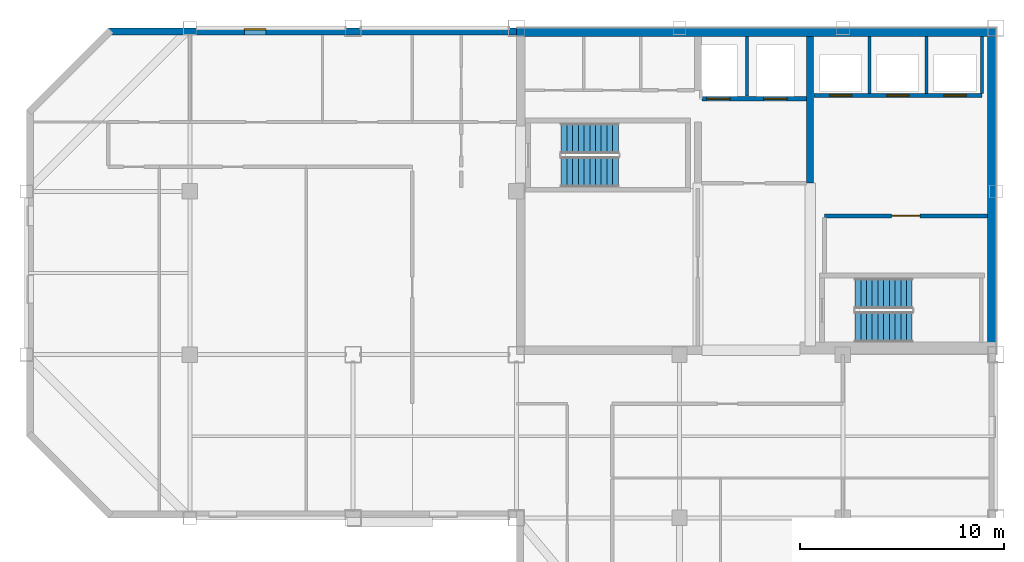
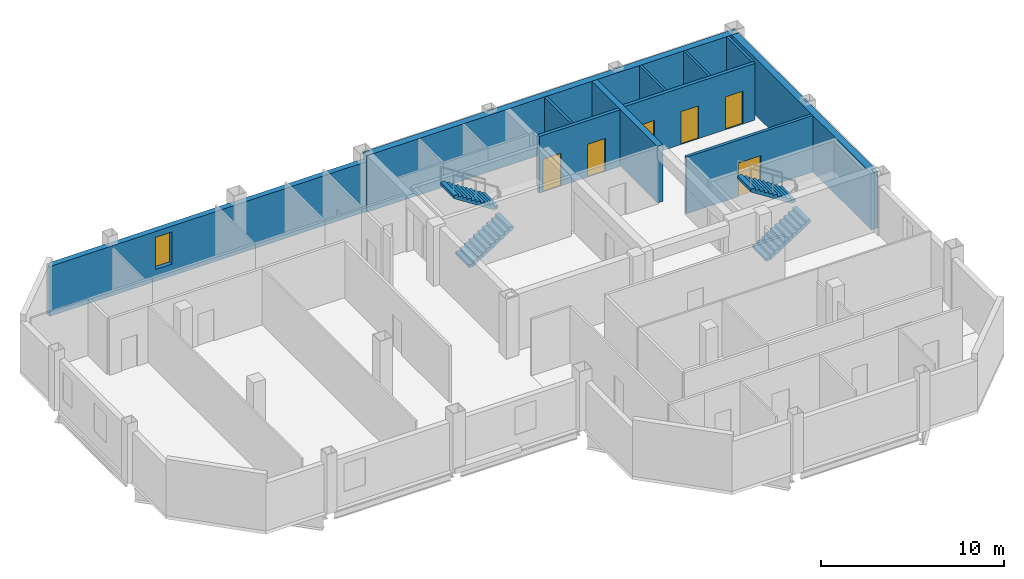
# One storey, part 4 of 7: 11 walls, 6 doors, 4 stair flights, 1 window, 7 openings, 2 elements without a shape of their own.
"""IFC4 building model written with IfcOpenShell, lengths in metres."""

from ifc_helpers import new_model, si_unit, direction, frame, frame_2d, origin, place, context, subcontext, project, spatial, polyline, rectangle, outline, extrude, material, layer, layer_set, type_object, element, fill, aggregate, save


model = new_model("IFC4")

# Units and contexts
model_context = context("Model", 3, precision=1e-05, world=origin(), true_north=direction((0.0, 1.0)))
body_context = subcontext(model_context, "Body", "Model", "MODEL_VIEW")
ifc_project = project(units=[si_unit("LENGTHUNIT", "METRE"), si_unit("AREAUNIT", "SQUARE_METRE"), si_unit("VOLUMEUNIT", "CUBIC_METRE"), si_unit("PLANEANGLEUNIT", "RADIAN"), si_unit("MASSUNIT", "GRAM", prefix="KILO")], contexts=[model_context])

# Site, building, storey
site_placement = place(None, origin())
site = spatial("IfcSite", under=ifc_project, at=site_placement, CompositionType="ELEMENT")
building_placement = place(site_placement, origin())
building = spatial("IfcBuilding", under=site, at=building_placement, Name="Qianrong Seaharbour Tower", CompositionType="ELEMENT")
storey_placement = place(building_placement, frame((0.0, 0.0, 351.199951171875)))
storey = spatial("IfcBuildingStorey", under=building, at=storey_placement, Name="L85", CompositionType="ELEMENT", Elevation=351.199951171875)

# Walls
ifc_material_1 = material(Name="Concrete C50/60", Category="concrete")
ifc_layer_1 = layer(ifc_material_1, 0.419921875)
ifc_layer_set_1 = layer_set([ifc_layer_1], Name="Concrete C50/60")
wall_type_1 = type_object("IfcWallType", Name="WALL-CORE-420", PredefinedType="SHEAR", material=ifc_layer_set_1)
wall_1_placement = place(storey_placement, frame((40.5, 51.7900390625, 0.0), z_axis=(0.0, 0.0, 1.0), x_axis=(1.0, 0.0, 0.0)))
element("IfcWall", 1, at=wall_1_placement, inside=storey, type_object=wall_type_1, Name="L85 North Core Shear Wall", PredefinedType="SHEAR", context=body_context, shape_type="SweptSolid", body=[
    extrude(rectangle(XDim=23.5, YDim=0.419921875, at=frame_2d((11.75, 0.0))), origin(), (0.0, 0.0, 1.0), 3.78515625),
])
wall_2_placement = place(storey_placement, frame((63.7900390625, 36.320068359375, 0.0), z_axis=(0.0, 0.0, 1.0), x_axis=(0.0, 1.0, 0.0)))
element("IfcWall", 2, at=wall_2_placement, inside=storey, type_object=wall_type_1, Name="L85 East Core Shear Wall", PredefinedType="SHEAR", context=body_context, shape_type="SweptSolid", body=[
    extrude(rectangle(XDim=15.260009765625, YDim=0.419921875, at=frame_2d((7.6298828125, 0.0))), origin(), (0.0, 0.0, 1.0), 3.78515625),
])
ifc_layer_2 = layer(ifc_material_1, 0.35009765625)
ifc_layer_set_2 = layer_set([ifc_layer_2], Name="Concrete C50/60")
wall_type_2 = type_object("IfcWallType", Name="WALL-CORE-INT-350", PredefinedType="SHEAR", material=ifc_layer_set_2)
wall_3_placement = place(storey_placement, frame((54.89990234375, 44.39990234375, 0.0), z_axis=(0.0, 0.0, 1.0), x_axis=(0.0, 1.0, 0.0)))
element("IfcWall", 3, at=wall_3_placement, inside=storey, type_object=wall_type_2, Name="L85 Internal Core Shear Wall IW2N", PredefinedType="SHEAR", context=body_context, shape_type="SweptSolid", body=[
    extrude(rectangle(XDim=7.18017578125, YDim=0.35009765625, at=frame_2d((3.590087890625, 0.0))), origin(), (0.0, 0.0, 1.0), 3.78515625),
])

# Wall, opening, window
ifc_material_2 = material(Name="Unitised buff brick on Precast concrete C45/55", Category="masonry")
ifc_layer_3 = layer(ifc_material_2, 0.340087890625)
ifc_layer_set_3 = layer_set([ifc_layer_3], Name="Unitised buff brick on Precast concrete C45/55")
wall_type_3 = type_object("IfcWallType", Name="WALL-EXT-BRICK-BUFF-340", PredefinedType="SOLIDWALL", material=ifc_layer_set_3)
wall_4_placement = place(storey_placement, frame((20.5, 51.830078125, 0.0), z_axis=(0.0, 0.0, 1.0), x_axis=(1.0, 0.0, 0.0)))
wall_4 = element("IfcWall", 4, at=wall_4_placement, inside=storey, type_object=wall_type_3, Name="L85 Exterior Masonry Facade Wall NORTH_WING", PredefinedType="SOLIDWALL", context=body_context, shape_type="SweptSolid", body=[
    extrude(rectangle(XDim=20.02001953125, YDim=0.340087890625, at=frame_2d((10.010009765625, 0.0))), origin(), (0.0, 0.0, 1.0), 3.3349609375),
])
opening_1_placement = place(wall_4_placement, frame((6.675048828125, 0.0, 0.800048828125)))
opening_1 = element("IfcOpeningElement", 5, at=opening_1_placement, cuts=wall_4, Name="Opening WN-14", PredefinedType="OPENING", context=body_context, shape_type="SweptSolid", body=[
    extrude(rectangle(XDim=1.050048828125, YDim=2.14990234375, at=frame_2d((0.52490234375, 1.074951171875))), frame((0.0, 0.18017578125, 0.0), z_axis=(0.0, -1.0, 0.0), x_axis=(1.0, 0.0, 0.0)), (0.0, 0.0, 1.0), 0.360107421875),
])
ifc_material_3 = material(Name="Insulated low-e double glazing in thermally broken aluminium 6063-T6 frame", Category="aluminium")
window_type = type_object("IfcWindowType", Name="WIN-NARROW-1050x2150", PartitioningType="SINGLE_PANEL", PredefinedType="WINDOW", material=ifc_material_3)
window_placement = place(opening_1_placement, origin())
window = element("IfcWindow", 6, at=window_placement, inside=storey, type_object=window_type, Name="L85 Deep-Set Punched Window 05.02", OverallHeight=2.14990234375, OverallWidth=1.050048828125, PartitioningType="SINGLE_PANEL", PredefinedType="WINDOW", context=body_context, shape_type="SweptSolid", body=[
    extrude(rectangle(XDim=1.050048828125, YDim=2.14990234375, at=frame_2d((0.52490234375, 1.074951171875))), frame((0.0, 0.150146484375, 0.0), z_axis=(0.0, -1.0, 0.0), x_axis=(1.0, 0.0, 0.0)), (0.0, 0.0, 1.0), 0.06005859375),
])
fill(opening_1, window)

# Wall, opening, door
ifc_material_4 = material(Name="Double fire-rated gypsum board acoustic partition")
ifc_layer_4 = layer(ifc_material_4, 0.18994140625)
ifc_layer_set_4 = layer_set([ifc_layer_4], Name="Double fire-rated gypsum board acoustic partition")
wall_type_4 = type_object("IfcWallType", Name="WALL-FIRE-PART-190", PredefinedType="PARTITIONING", material=ifc_layer_set_4)
wall_5_placement = place(storey_placement, frame((63.580078125, 42.800048828125, 0.0), z_axis=(0.0, 0.0, 1.0), x_axis=(-1.0, 0.0, 0.0)))
wall_5 = element("IfcWall", 7, at=wall_5_placement, inside=storey, type_object=wall_type_4, Name="L85 Interior Partition Wall 013", PredefinedType="PARTITIONING", context=body_context, shape_type="SweptSolid", body=[
    extrude(rectangle(XDim=7.97998046875, YDim=0.18994140625, at=frame_2d((3.989990234375, 0.0))), origin(), (0.0, 0.0, 1.0), 3.78515625),
])
opening_2_placement = place(wall_5_placement, frame((3.2900390625, 0.0, 0.0)))
opening_2 = element("IfcOpeningElement", 8, at=opening_2_placement, cuts=wall_5, Name="Opening DP-01", PredefinedType="OPENING", context=body_context, shape_type="SweptSolid", body=[
    extrude(rectangle(XDim=1.39990234375, YDim=2.25, at=frame_2d((0.699951171875, 1.125))), frame((0.0, 0.10498046875, 0.0), z_axis=(0.0, -1.0, 0.0), x_axis=(1.0, 0.0, 0.0)), (0.0, 0.0, 1.0), 0.2099609375),
])
ifc_material_5 = material(Name="Acoustic timber and galvanized steel fire door assembly", Category="steel")
door_type_1 = type_object("IfcDoorType", Name="DOOR-PLANT-PAIR-1400x2250", OperationType="DOUBLE_DOOR_SINGLE_SWING", PredefinedType="DOOR", material=ifc_material_5)
door_1_placement = place(opening_2_placement, origin())
door_1 = element("IfcDoor", 9, at=door_1_placement, inside=storey, type_object=door_type_1, Name="L85 Core Telecom Hub Room Door", OperationType="DOUBLE_DOOR_SINGLE_SWING", OverallHeight=2.25, OverallWidth=1.39990234375, PredefinedType="DOOR", context=body_context, shape_type="SweptSolid", body=[
    extrude(rectangle(XDim=1.39990234375, YDim=2.25, at=frame_2d((0.699951171875, 1.125))), frame((0.0, 0.02490234375, 0.0), z_axis=(0.0, -1.0, 0.0), x_axis=(1.0, 0.0, 0.0)), (0.0, 0.0, 1.0), 0.050048828125),
])
fill(opening_2, door_1)

# Walls
ifc_material_6 = material(Name="Fire-rated gypsum board on steel studs", Category="steel")
ifc_layer_5 = layer(ifc_material_6, 0.14990234375)
ifc_layer_set_5 = layer_set([ifc_layer_5], Name="Fire-rated gypsum board on steel studs")
wall_type_5 = type_object("IfcWallType", Name="WALL-SHAFT-DIV-150", PredefinedType="PARTITIONING", material=ifc_layer_set_5)
wall_6_placement = place(storey_placement, frame((51.800048828125, 48.669921875, 0.0), z_axis=(0.0, 0.0, 1.0), x_axis=(0.0, 1.0, 0.0)))
element("IfcWall", 10, at=wall_6_placement, inside=storey, type_object=wall_type_5, Name="L85 Firefighting Lift Shaft Divider Wall", PredefinedType="PARTITIONING", context=body_context, shape_type="SweptSolid", body=[
    extrude(rectangle(XDim=2.91015625, YDim=0.14990234375, at=frame_2d((1.455078125, 0.0))), origin(), (0.0, 0.0, 1.0), 3.78515625),
])
for number, where, z_axis, x_axis, name in (
    (11, (57.800048828125, 48.81005859375, 0.0), (0.0, 0.0, 1.0), (0.0, 1.0, 0.0), "L85 P4 Lift Hoistway Divider 2"),
    (12, (60.60009765625, 48.81005859375, 0.0), (0.0, 0.0, 1.0), (0.0, 1.0, 0.0), "L85 P4 Lift Hoistway Divider 3"),
    (13, (63.320068359375, 48.81005859375, 0.0), (0.0, 0.0, 1.0), (0.0, 1.0, 0.0), "L85 P4 Lift Hoistway Divider 4"),
):
    element("IfcWall", number, at=place(storey_placement, frame(where, z_axis=z_axis, x_axis=x_axis)), inside=storey, type_object=wall_type_5, Name=name, PredefinedType="PARTITIONING", context=body_context, shape_type="SweptSolid", body=[
        extrude(rectangle(XDim=2.77001953125, YDim=0.14990234375, at=frame_2d((1.385009765625, 0.0))), origin(), (0.0, 0.0, 1.0), 3.78515625),
    ])

# Wall, openings, doors
ifc_layer_6 = layer(ifc_material_6, 0.219970703125)
ifc_layer_set_6 = layer_set([ifc_layer_6], Name="Fire-rated gypsum board on steel studs")
wall_type_6 = type_object("IfcWallType", Name="WALL-SHAFT-GYP220", PredefinedType="PARTITIONING", material=ifc_layer_set_6)
wall_7_placement = place(storey_placement, frame((54.7099609375, 48.550048828125, 0.0), z_axis=(0.0, 0.0, 1.0), x_axis=(-1.0, 0.0, 0.0)))
wall_7 = element("IfcWall", 14, at=wall_7_placement, inside=storey, type_object=wall_type_6, Name="L85 Firefighting Lift Shaft Front Wall", PredefinedType="PARTITIONING", context=body_context, shape_type="SweptSolid", body=[
    extrude(rectangle(XDim=5.119873046875, YDim=0.219970703125, at=frame_2d((2.56005859375, 0.0))), origin(), (0.0, 0.0, 1.0), 3.78515625),
])
opening_3_placement = place(wall_7_placement, frame((3.735107421875, 0.0, 0.0)))
opening_3 = element("IfcOpeningElement", 15, at=opening_3_placement, cuts=wall_7, Name="Opening LD-01", PredefinedType="OPENING", context=body_context, shape_type="SweptSolid", body=[
    extrude(rectangle(XDim=1.14990234375, YDim=2.199951171875, at=frame_2d((0.574951171875, 1.10009765625))), frame((0.0, 0.1201171875, 0.0), z_axis=(0.0, -1.0, 0.0), x_axis=(1.0, 0.0, 0.0)), (0.0, 0.0, 1.0), 0.239990234375),
])
opening_4_placement = place(wall_7_placement, frame((0.93505859375, 0.0, 0.0)))
opening_4 = element("IfcOpeningElement", 16, at=opening_4_placement, cuts=wall_7, Name="Opening LD-01", PredefinedType="OPENING", context=body_context, shape_type="SweptSolid", body=[
    extrude(rectangle(XDim=1.14990234375, YDim=2.199951171875, at=frame_2d((0.574951171875, 1.10009765625))), frame((0.0, 0.1201171875, 0.0), z_axis=(0.0, -1.0, 0.0), x_axis=(1.0, 0.0, 0.0)), (0.0, 0.0, 1.0), 0.239990234375),
])
ifc_material_7 = material(Name="Stainless steel SUS316L bi-parting lift landing door", Category="steel")
door_type_2 = type_object("IfcDoorType", Name="DOOR-LIFT-FF-1150x2200", OperationType="DOUBLE_DOOR_SLIDING", PredefinedType="DOOR", material=ifc_material_7)
door_2_placement = place(opening_3_placement, origin())
door_2 = element("IfcDoor", 17, at=door_2_placement, inside=storey, type_object=door_type_2, Name="L85 FL-1 Firefighting Lift Landing Door", OperationType="DOUBLE_DOOR_SLIDING", OverallHeight=2.199951171875, OverallWidth=1.14990234375, PredefinedType="DOOR", context=body_context, shape_type="SweptSolid", body=[
    extrude(rectangle(XDim=1.14990234375, YDim=2.199951171875, at=frame_2d((0.574951171875, 1.10009765625))), frame((0.0, 0.02490234375, 0.0), z_axis=(0.0, -1.0, 0.0), x_axis=(1.0, 0.0, 0.0)), (0.0, 0.0, 1.0), 0.050048828125),
])
fill(opening_3, door_2)
door_3_placement = place(opening_4_placement, origin())
door_3 = element("IfcDoor", 18, at=door_3_placement, inside=storey, type_object=door_type_2, Name="L85 FL-2 Firefighting Lift Landing Door", OperationType="DOUBLE_DOOR_SLIDING", OverallHeight=2.199951171875, OverallWidth=1.14990234375, PredefinedType="DOOR", context=body_context, shape_type="SweptSolid", body=[
    extrude(rectangle(XDim=1.14990234375, YDim=2.199951171875, at=frame_2d((0.574951171875, 1.10009765625))), frame((0.0, 0.02490234375, 0.0), z_axis=(0.0, -1.0, 0.0), x_axis=(1.0, 0.0, 0.0)), (0.0, 0.0, 1.0), 0.050048828125),
])
fill(opening_4, door_3)

wall_8_placement = place(storey_placement, frame((63.320068359375, 48.699951171875, 0.0), z_axis=(0.0, 0.0, 1.0), x_axis=(-1.0, 0.0, 0.0)))
wall_8 = element("IfcWall", 19, at=wall_8_placement, inside=storey, type_object=wall_type_6, Name="L85 P4 Lift Hoistway Front Wall", PredefinedType="PARTITIONING", context=body_context, shape_type="SweptSolid", body=[
    extrude(rectangle(XDim=8.239990234375, YDim=0.219970703125, at=frame_2d((4.1201171875, 0.0))), origin(), (0.0, 0.0, 1.0), 3.78515625),
])
opening_5_placement = place(wall_8_placement, frame((6.3701171875, 0.0, 0.0)))
opening_5 = element("IfcOpeningElement", 20, at=opening_5_placement, cuts=wall_8, Name="Opening LD-02", PredefinedType="OPENING", context=body_context, shape_type="SweptSolid", body=[
    extrude(rectangle(XDim=1.10009765625, YDim=2.199951171875, at=frame_2d((0.550048828125, 1.10009765625))), frame((0.0, 0.1201171875, 0.0), z_axis=(0.0, -1.0, 0.0), x_axis=(1.0, 0.0, 0.0)), (0.0, 0.0, 1.0), 0.239990234375),
])
opening_6_placement = place(wall_8_placement, frame((3.570068359375, 0.0, 0.0)))
opening_6 = element("IfcOpeningElement", 21, at=opening_6_placement, cuts=wall_8, Name="Opening LD-02", PredefinedType="OPENING", context=body_context, shape_type="SweptSolid", body=[
    extrude(rectangle(XDim=1.10009765625, YDim=2.199951171875, at=frame_2d((0.550048828125, 1.10009765625))), frame((0.0, 0.1201171875, 0.0), z_axis=(0.0, -1.0, 0.0), x_axis=(1.0, 0.0, 0.0)), (0.0, 0.0, 1.0), 0.239990234375),
])
opening_7_placement = place(wall_8_placement, frame((0.77001953125, 0.0, 0.0)))
opening_7 = element("IfcOpeningElement", 22, at=opening_7_placement, cuts=wall_8, Name="Opening LD-02", PredefinedType="OPENING", context=body_context, shape_type="SweptSolid", body=[
    extrude(rectangle(XDim=1.10009765625, YDim=2.199951171875, at=frame_2d((0.550048828125, 1.10009765625))), frame((0.0, 0.1201171875, 0.0), z_axis=(0.0, -1.0, 0.0), x_axis=(1.0, 0.0, 0.0)), (0.0, 0.0, 1.0), 0.239990234375),
])
door_type_3 = type_object("IfcDoorType", Name="DOOR-LIFT-PASS-1100x2200", OperationType="DOUBLE_DOOR_SLIDING", PredefinedType="DOOR", material=ifc_material_7)
door_4_placement = place(opening_5_placement, origin())
door_4 = element("IfcDoor", 23, at=door_4_placement, inside=storey, type_object=door_type_3, Name="L85 PL-4A Lift Landing Door", OperationType="DOUBLE_DOOR_SLIDING", OverallHeight=2.199951171875, OverallWidth=1.10009765625, PredefinedType="DOOR", context=body_context, shape_type="SweptSolid", body=[
    extrude(rectangle(XDim=1.10009765625, YDim=2.199951171875, at=frame_2d((0.550048828125, 1.10009765625))), frame((0.0, 0.02490234375, 0.0), z_axis=(0.0, -1.0, 0.0), x_axis=(1.0, 0.0, 0.0)), (0.0, 0.0, 1.0), 0.050048828125),
])
fill(opening_5, door_4)
door_5_placement = place(opening_6_placement, origin())
door_5 = element("IfcDoor", 24, at=door_5_placement, inside=storey, type_object=door_type_3, Name="L85 PL-4B Lift Landing Door", OperationType="DOUBLE_DOOR_SLIDING", OverallHeight=2.199951171875, OverallWidth=1.10009765625, PredefinedType="DOOR", context=body_context, shape_type="SweptSolid", body=[
    extrude(rectangle(XDim=1.10009765625, YDim=2.199951171875, at=frame_2d((0.550048828125, 1.10009765625))), frame((0.0, 0.02490234375, 0.0), z_axis=(0.0, -1.0, 0.0), x_axis=(1.0, 0.0, 0.0)), (0.0, 0.0, 1.0), 0.050048828125),
])
fill(opening_6, door_5)
door_6_placement = place(opening_7_placement, origin())
door_6 = element("IfcDoor", 25, at=door_6_placement, inside=storey, type_object=door_type_3, Name="L85 PL-4C Lift Landing Door", OperationType="DOUBLE_DOOR_SLIDING", OverallHeight=2.199951171875, OverallWidth=1.10009765625, PredefinedType="DOOR", context=body_context, shape_type="SweptSolid", body=[
    extrude(rectangle(XDim=1.10009765625, YDim=2.199951171875, at=frame_2d((0.550048828125, 1.10009765625))), frame((0.0, 0.02490234375, 0.0), z_axis=(0.0, -1.0, 0.0), x_axis=(1.0, 0.0, 0.0)), (0.0, 0.0, 1.0), 0.050048828125),
])
fill(opening_7, door_6)

# Stair, stair flights
stair_type = type_object("IfcStairType", Name="STAIR-DOGLEG-1500-R22", PredefinedType="HALF_TURN_STAIR", material=ifc_material_1)
stair_1_placement = place(storey_placement, origin())
stair_1 = element("IfcStair", 26, at=stair_1_placement, inside=storey, type_object=stair_type, Name="L85 Protected Escape Stair ST-1", PredefinedType="HALF_TURN_STAIR")
stair_flight_type = type_object("IfcStairFlightType", Name="FLIGHT-STR-1500-R22", PredefinedType="STRAIGHT", material=ifc_material_1)
stair_flight_1_placement = place(storey_placement, frame((42.699951171875, 44.949951171875, 0.0), z_axis=(0.0, 0.0, 1.0), x_axis=(1.0, 0.0, 0.0)))
stair_flight_1 = element("IfcStairFlight", 27, at=stair_flight_1_placement, type_object=stair_flight_type, Name="ST-1 flight 1", NumberOfRisers=11, NumberOfTreads=10, PredefinedType="STRAIGHT", RiserHeight=0.181818182, TreadLength=0.28, context=body_context, shape_type="SweptSolid", body=[
    extrude(outline(polyline([(0.0, 0.0), (0.0, 0.181884765625), (0.280029296875, 0.181884765625), (0.280029296875, 0.363525390625), (0.56005859375, 0.363525390625), (0.56005859375, 0.54541015625), (0.840087890625, 0.54541015625), (0.840087890625, 0.727294921875), (1.1201171875, 0.727294921875), (1.1201171875, 0.9091796875), (1.39990234375, 0.9091796875), (1.39990234375, 1.0908203125), (1.679931640625, 1.0908203125), (1.679931640625, 1.272705078125), (1.9599609375, 1.272705078125), (1.9599609375, 1.45458984375), (2.239990234375, 1.45458984375), (2.239990234375, 1.636474609375), (2.52001953125, 1.636474609375), (2.52001953125, 1.818115234375), (2.800048828125, 1.818115234375), (2.800048828125, 2.0), (2.800048828125, 1.62744140625), (0.293701171875, 0.0), (0.0, 0.0)])), frame((0.0, 0.75, 0.0), z_axis=(0.0, -1.0, 0.0), x_axis=(1.0, 0.0, 0.0)), (0.0, 0.0, 1.0), 1.5),
])
stair_flight_2_placement = place(storey_placement, frame((45.5, 46.60009765625, 2.0), z_axis=(0.0, 0.0, 1.0), x_axis=(-1.0, 0.0, 0.0)))
stair_flight_2 = element("IfcStairFlight", 28, at=stair_flight_2_placement, type_object=stair_flight_type, Name="ST-1 flight 2", NumberOfRisers=11, NumberOfTreads=10, PredefinedType="STRAIGHT", RiserHeight=0.181818182, TreadLength=0.28, context=body_context, shape_type="SweptSolid", body=[
    extrude(outline(polyline([(0.0, 0.0), (0.0, 0.181884765625), (0.280029296875, 0.181884765625), (0.280029296875, 0.363525390625), (0.56005859375, 0.363525390625), (0.56005859375, 0.54541015625), (0.840087890625, 0.54541015625), (0.840087890625, 0.727294921875), (1.1201171875, 0.727294921875), (1.1201171875, 0.9091796875), (1.39990234375, 0.9091796875), (1.39990234375, 1.0908203125), (1.679931640625, 1.0908203125), (1.679931640625, 1.272705078125), (1.9599609375, 1.272705078125), (1.9599609375, 1.45458984375), (2.239990234375, 1.45458984375), (2.239990234375, 1.636474609375), (2.52001953125, 1.636474609375), (2.52001953125, 1.818115234375), (2.800048828125, 1.818115234375), (2.800048828125, 2.0), (2.800048828125, 1.62744140625), (0.293701171875, 0.0), (0.0, 0.0)])), frame((0.0, 0.75, 0.0), z_axis=(0.0, -1.0, 0.0), x_axis=(1.0, 0.0, 0.0)), (0.0, 0.0, 1.0), 1.5),
])
aggregate(stair_1, [stair_flight_1, stair_flight_2])

stair_2_placement = place(storey_placement, origin())
stair_2 = element("IfcStair", 29, at=stair_2_placement, inside=storey, type_object=stair_type, Name="L85 Protected Escape Stair ST-2", PredefinedType="HALF_TURN_STAIR")
stair_flight_3_placement = place(storey_placement, frame((57.10009765625, 37.35009765625, 0.0), z_axis=(0.0, 0.0, 1.0), x_axis=(1.0, 0.0, 0.0)))
stair_flight_3 = element("IfcStairFlight", 30, at=stair_flight_3_placement, type_object=stair_flight_type, Name="ST-2 flight 1", NumberOfRisers=11, NumberOfTreads=10, PredefinedType="STRAIGHT", RiserHeight=0.181818182, TreadLength=0.28, context=body_context, shape_type="SweptSolid", body=[
    extrude(outline(polyline([(0.0, 0.0), (0.0, 0.181884765625), (0.280029296875, 0.181884765625), (0.280029296875, 0.363525390625), (0.56005859375, 0.363525390625), (0.56005859375, 0.54541015625), (0.840087890625, 0.54541015625), (0.840087890625, 0.727294921875), (1.1201171875, 0.727294921875), (1.1201171875, 0.9091796875), (1.39990234375, 0.9091796875), (1.39990234375, 1.0908203125), (1.679931640625, 1.0908203125), (1.679931640625, 1.272705078125), (1.9599609375, 1.272705078125), (1.9599609375, 1.45458984375), (2.239990234375, 1.45458984375), (2.239990234375, 1.636474609375), (2.52001953125, 1.636474609375), (2.52001953125, 1.818115234375), (2.800048828125, 1.818115234375), (2.800048828125, 2.0), (2.800048828125, 1.62744140625), (0.293701171875, 0.0), (0.0, 0.0)])), frame((0.0, 0.75, 0.0), z_axis=(0.0, -1.0, 0.0), x_axis=(1.0, 0.0, 0.0)), (0.0, 0.0, 1.0), 1.5),
])
stair_flight_4_placement = place(storey_placement, frame((59.89990234375, 39.0, 2.0), z_axis=(0.0, 0.0, 1.0), x_axis=(-1.0, 0.0, 0.0)))
stair_flight_4 = element("IfcStairFlight", 31, at=stair_flight_4_placement, type_object=stair_flight_type, Name="ST-2 flight 2", NumberOfRisers=11, NumberOfTreads=10, PredefinedType="STRAIGHT", RiserHeight=0.181818182, TreadLength=0.28, context=body_context, shape_type="SweptSolid", body=[
    extrude(outline(polyline([(0.0, 0.0), (0.0, 0.181884765625), (0.280029296875, 0.181884765625), (0.280029296875, 0.363525390625), (0.56005859375, 0.363525390625), (0.56005859375, 0.54541015625), (0.840087890625, 0.54541015625), (0.840087890625, 0.727294921875), (1.1201171875, 0.727294921875), (1.1201171875, 0.9091796875), (1.39990234375, 0.9091796875), (1.39990234375, 1.0908203125), (1.679931640625, 1.0908203125), (1.679931640625, 1.272705078125), (1.9599609375, 1.272705078125), (1.9599609375, 1.45458984375), (2.239990234375, 1.45458984375), (2.239990234375, 1.636474609375), (2.52001953125, 1.636474609375), (2.52001953125, 1.818115234375), (2.800048828125, 1.818115234375), (2.800048828125, 2.0), (2.800048828125, 1.62744140625), (0.293701171875, 0.0), (0.0, 0.0)])), frame((0.0, 0.75, 0.0), z_axis=(0.0, -1.0, 0.0), x_axis=(1.0, 0.0, 0.0)), (0.0, 0.0, 1.0), 1.5),
])
aggregate(stair_2, [stair_flight_3, stair_flight_4])

save(model, "model.ifc")
